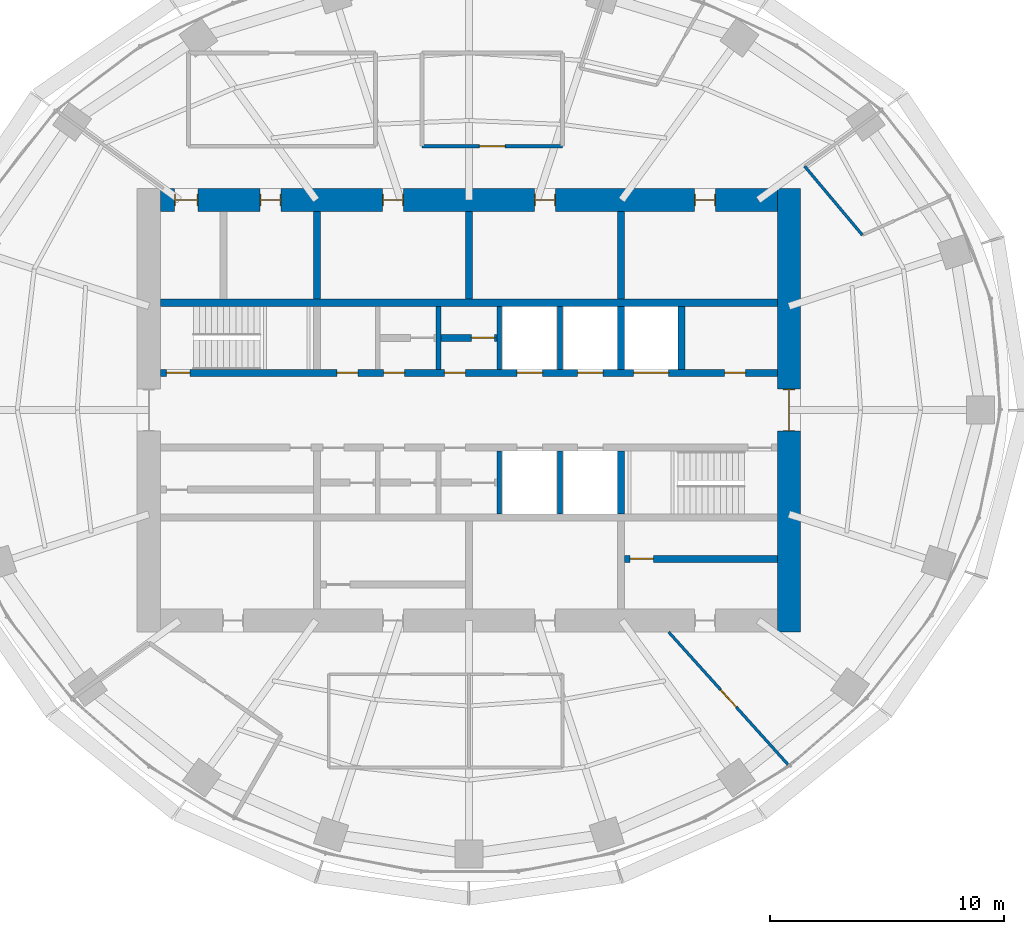
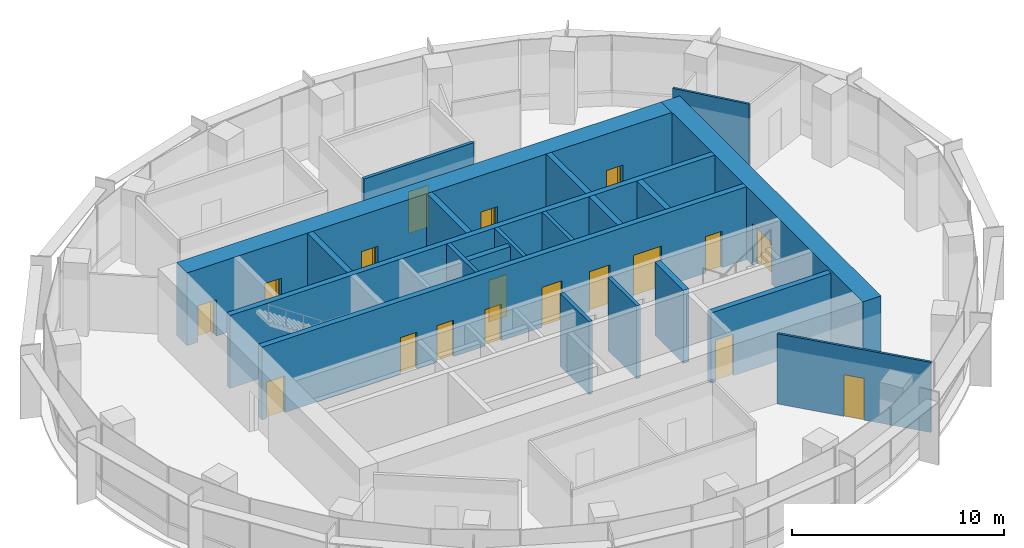
# One storey, part 10 of 13: 20 walls, 18 doors, 18 openings.
"""IFC4 building model written with IfcOpenShell, lengths in metres."""

from ifc_helpers import new_model, si_unit, direction, frame, frame_2d, origin, place, context, subcontext, project, spatial, rectangle, extrude, material, layer, layer_set, type_object, element, fill, save


model = new_model("IFC4")

# Units and contexts
model_context = context("Model", 3, precision=1e-05, world=origin(), true_north=direction((0.0, 1.0)))
body_context = subcontext(model_context, "Body", "Model", "MODEL_VIEW")
ifc_project = project(units=[si_unit("LENGTHUNIT", "METRE"), si_unit("AREAUNIT", "SQUARE_METRE"), si_unit("VOLUMEUNIT", "CUBIC_METRE"), si_unit("PLANEANGLEUNIT", "RADIAN"), si_unit("MASSUNIT", "GRAM", prefix="KILO")], contexts=[model_context])

# Site, building, storey
site_placement = place(None, origin())
site = spatial("IfcSite", under=ifc_project, at=site_placement, CompositionType="ELEMENT")
building_placement = place(site_placement, origin())
building = spatial("IfcBuilding", under=site, at=building_placement, Name="Marramba Exchange Tower", CompositionType="ELEMENT")
storey_placement = place(building_placement, frame((0.0, 0.0, 264.39990234375)))
storey = spatial("IfcBuildingStorey", under=building, at=storey_placement, Name="L64", CompositionType="ELEMENT", Elevation=264.39990234375)

# Wall, opening, door
ifc_material_1 = material(Name="Plasterboard on staggered double steel studs, acoustic insulation", Category="steel")
ifc_layer_1 = layer(ifc_material_1, 0.169921875)
ifc_layer_set_1 = layer_set([ifc_layer_1], Name="Acoustic partition 170")
wall_type_1 = type_object("IfcWallType", Name="Acoustic partition 170", PredefinedType="PARTITIONING", material=ifc_layer_set_1)
wall_1_placement = place(storey_placement, frame((4.0, 11.300048828125, 0.0), z_axis=(0.0, 0.0, 1.0), x_axis=(-1.0, 0.0, 0.0)))
wall_1 = element("IfcWall", 1, at=wall_1_placement, inside=storey, type_object=wall_type_1, Name="Acoustic partition L64 17", PredefinedType="PARTITIONING", context=body_context, shape_type="SweptSolid", body=[
    extrude(rectangle(XDim=6.0, YDim=0.169921875, at=frame_2d((3.0, 0.0))), origin(), (0.0, 0.0, 1.0), 4.0400390625),
])
opening_1_placement = place(wall_1_placement, frame((2.449951171875, 0.0, 0.0)))
opening_1 = element("IfcOpeningElement", 2, at=opening_1_placement, cuts=wall_1, Name="Opening D15", PredefinedType="OPENING", context=body_context, shape_type="SweptSolid", body=[
    extrude(rectangle(XDim=1.10009765625, YDim=2.39990234375, at=frame_2d((0.550048828125, 1.199951171875))), frame((0.0, 0.094970703125, 0.0), z_axis=(0.0, -1.0, 0.0), x_axis=(1.0, 0.0, 0.0)), (0.0, 0.0, 1.0), 0.18994140625),
])
ifc_material_2 = material(Name="Timber door", Category="wood")
door_type_1 = type_object("IfcDoorType", Name="Glazed meeting room door 1100x2400", OperationType="SINGLE_SWING_LEFT", PredefinedType="DOOR", material=ifc_material_2)
door_1_placement = place(opening_1_placement, frame((1.10009765625, 0.0, 0.0), z_axis=(0.0, 0.0, 1.0), x_axis=(-1.0, 0.0, 0.0)))
door_1 = element("IfcDoor", 3, at=door_1_placement, inside=storey, type_object=door_type_1, Name="D15 Meeting Room 2 L64", OperationType="SINGLE_SWING_RIGHT", OverallHeight=2.39990234375, OverallWidth=1.10009765625, PredefinedType="DOOR", context=body_context, shape_type="SweptSolid", body=[
    extrude(rectangle(XDim=1.10009765625, YDim=2.39990234375, at=frame_2d((0.550048828125, 1.199951171875))), frame((0.0, 0.025146484375, 0.0), z_axis=(0.0, -1.0, 0.0), x_axis=(1.0, 0.0, 0.0)), (0.0, 0.0, 1.0), 0.050048828125),
])
fill(opening_1, door_1)

# Walls
ifc_material_3 = material(Name="Concrete N50", Category="concrete")
ifc_layer_2 = layer(ifc_material_3, 0.199951171875)
ifc_layer_set_2 = layer_set([ifc_layer_2], Name="Core shaft wall 200")
wall_type_2 = type_object("IfcWallType", Name="Core shaft wall 200", PredefinedType="SHEAR", material=ifc_layer_set_2)
for number, where, z_axis, x_axis, name in (
    (4, (-1.300048828125, 1.75, 0.0), (0.0, 0.0, 1.0), (0.0, 1.0, 0.0), "Core wall SHN2 L64"),
    (5, (1.300048828125, 1.75, 0.0), (0.0, 0.0, 1.0), (0.0, 1.0, 0.0), "Core wall SHN3 L64"),
    (6, (3.89990234375, 1.75, 0.0), (0.0, 0.0, 1.0), (0.0, 1.0, 0.0), "Core wall SHN4 L64"),
    (7, (1.300048828125, -1.75, 0.0), (0.0, 0.0, 1.0), (0.0, -1.0, 0.0), "Core wall SHS3 L64"),
    (8, (3.89990234375, -1.75, 0.0), (0.0, 0.0, 1.0), (0.0, -1.0, 0.0), "Core wall SHS4 L64"),
):
    element("IfcWall", number, at=place(storey_placement, frame(where, z_axis=z_axis, x_axis=x_axis)), inside=storey, type_object=wall_type_2, Name=name, PredefinedType="SHEAR", context=body_context, shape_type="SweptSolid", body=[
        extrude(rectangle(XDim=2.699951171875, YDim=0.199951171875, at=frame_2d((1.35009765625, 0.0))), origin(), (0.0, 0.0, 1.0), 4.2001953125),
    ])

# Wall, openings, doors
ifc_layer_3 = layer(ifc_material_3, 1.0)
ifc_layer_set_3 = layer_set([ifc_layer_3], Name="Core wall 1000")
wall_type_3 = type_object("IfcWallType", Name="Core wall 1000", PredefinedType="SHEAR", material=ifc_layer_set_3)
wall_2_placement = place(storey_placement, frame((13.199951171875, 9.0, 0.0), z_axis=(0.0, 0.0, 1.0), x_axis=(-1.0, 0.0, 0.0)))
wall_2 = element("IfcWall", 9, at=wall_2_placement, inside=storey, type_object=wall_type_3, Name="Core wall N L64", PredefinedType="SHEAR", context=body_context, shape_type="SweptSolid", body=[
    extrude(rectangle(XDim=26.39990234375, YDim=1.0, at=frame_2d((13.199951171875, 0.0))), origin(), (0.0, 0.0, 1.0), 4.2001953125),
])
opening_2_placement = place(wall_2_placement, frame((2.64990234375, 0.0, 0.0)))
opening_2 = element("IfcOpeningElement", 10, at=opening_2_placement, cuts=wall_2, Name="Opening D5", PredefinedType="OPENING", context=body_context, shape_type="SweptSolid", body=[
    extrude(rectangle(XDim=0.89990234375, YDim=2.10009765625, at=frame_2d((0.449951171875, 1.050048828125))), frame((0.0, 0.510009765625, 0.0), z_axis=(0.0, -1.0, 0.0), x_axis=(1.0, 0.0, 0.0)), (0.0, 0.0, 1.0), 1.02001953125),
])
opening_3_placement = place(wall_2_placement, frame((9.5, 0.0, 0.0)))
opening_3 = element("IfcOpeningElement", 11, at=opening_3_placement, cuts=wall_2, Name="Opening D3", PredefinedType="OPENING", context=body_context, shape_type="SweptSolid", body=[
    extrude(rectangle(XDim=0.89990234375, YDim=2.10009765625, at=frame_2d((0.449951171875, 1.050048828125))), frame((0.0, 0.510009765625, 0.0), z_axis=(0.0, -1.0, 0.0), x_axis=(1.0, 0.0, 0.0)), (0.0, 0.0, 1.0), 1.02001953125),
])
opening_4_placement = place(wall_2_placement, frame((16.0, 0.0, 0.0)))
opening_4 = element("IfcOpeningElement", 12, at=opening_4_placement, cuts=wall_2, Name="Opening D3", PredefinedType="OPENING", context=body_context, shape_type="SweptSolid", body=[
    extrude(rectangle(XDim=0.89990234375, YDim=2.10009765625, at=frame_2d((0.449951171875, 1.050048828125))), frame((0.0, 0.510009765625, 0.0), z_axis=(0.0, -1.0, 0.0), x_axis=(1.0, 0.0, 0.0)), (0.0, 0.0, 1.0), 1.02001953125),
])
opening_5_placement = place(wall_2_placement, frame((21.25, 0.0, 0.0)))
opening_5 = element("IfcOpeningElement", 13, at=opening_5_placement, cuts=wall_2, Name="Opening D5", PredefinedType="OPENING", context=body_context, shape_type="SweptSolid", body=[
    extrude(rectangle(XDim=0.89990234375, YDim=2.10009765625, at=frame_2d((0.449951171875, 1.050048828125))), frame((0.0, 0.510009765625, 0.0), z_axis=(0.0, -1.0, 0.0), x_axis=(1.0, 0.0, 0.0)), (0.0, 0.0, 1.0), 1.02001953125),
])
opening_6_placement = place(wall_2_placement, frame((24.800048828125, 0.0, 0.0)))
opening_6 = element("IfcOpeningElement", 14, at=opening_6_placement, cuts=wall_2, Name="Opening D4", PredefinedType="OPENING", context=body_context, shape_type="SweptSolid", body=[
    extrude(rectangle(XDim=1.0, YDim=2.10009765625, at=frame_2d((0.5, 1.050048828125))), frame((0.0, 0.510009765625, 0.0), z_axis=(0.0, -1.0, 0.0), x_axis=(1.0, 0.0, 0.0)), (0.0, 0.0, 1.0), 1.02001953125),
])
ifc_material_4 = material(Name="Steel-framed door", Category="steel")
door_type_2 = type_object("IfcDoorType", Name="Accessible toilet door 1000x2100", OperationType="SINGLE_SWING_LEFT", PredefinedType="DOOR", material=ifc_material_4)
door_2_placement = place(opening_6_placement, origin())
door_2 = element("IfcDoor", 15, at=door_2_placement, inside=storey, type_object=door_type_2, Name="D4 awc L64", OperationType="SINGLE_SWING_RIGHT", OverallHeight=2.10009765625, OverallWidth=1.0, PredefinedType="DOOR", context=body_context, shape_type="SweptSolid", body=[
    extrude(rectangle(XDim=0.919921875, YDim=2.06005859375, at=frame_2d((0.5, 1.030029296875))), frame((0.0, 0.02490234375, 0.0), z_axis=(0.0, -1.0, 0.0), x_axis=(1.0, 0.0, 0.0)), (0.0, 0.0, 1.0), 0.050048828125),
    extrude(rectangle(XDim=0.04, YDim=2.10009765625, at=frame_2d((0.02001953125, 1.050048828125))), frame((0.0, 0.25, 0.0), z_axis=(0.0, -1.0, 0.0), x_axis=(1.0, 0.0, 0.0)), (0.0, 0.0, 1.0), 0.5),
    extrude(rectangle(XDim=0.04, YDim=2.10009765625, at=frame_2d((0.97998046875, 1.050048828125))), frame((0.0, 0.25, 0.0), z_axis=(0.0, -1.0, 0.0), x_axis=(1.0, 0.0, 0.0)), (0.0, 0.0, 1.0), 0.5),
    extrude(rectangle(XDim=0.919921875, YDim=0.04, at=frame_2d((0.5, 2.080078125))), frame((0.0, 0.25, 0.0), z_axis=(0.0, -1.0, 0.0), x_axis=(1.0, 0.0, 0.0)), (0.0, 0.0, 1.0), 0.5),
])
fill(opening_6, door_2)
door_type_3 = type_object("IfcDoorType", Name="Service door 900x2100", OperationType="SINGLE_SWING_LEFT", PredefinedType="DOOR", material=ifc_material_4)
door_3_placement = place(opening_2_placement, origin())
door_3 = element("IfcDoor", 16, at=door_3_placement, inside=storey, type_object=door_type_3, Name="D5 comms L64", OperationType="SINGLE_SWING_LEFT", OverallHeight=2.10009765625, OverallWidth=0.89990234375, PredefinedType="DOOR", context=body_context, shape_type="SweptSolid", body=[
    extrude(rectangle(XDim=0.81982421875, YDim=2.06005859375, at=frame_2d((0.449951171875, 1.030029296875))), frame((0.0, 0.02490234375, 0.0), z_axis=(0.0, -1.0, 0.0), x_axis=(1.0, 0.0, 0.0)), (0.0, 0.0, 1.0), 0.050048828125),
    extrude(rectangle(XDim=0.04, YDim=2.10009765625, at=frame_2d((0.02001953125, 1.050048828125))), frame((0.0, 0.25, 0.0), z_axis=(0.0, -1.0, 0.0), x_axis=(1.0, 0.0, 0.0)), (0.0, 0.0, 1.0), 0.5),
    extrude(rectangle(XDim=0.04, YDim=2.10009765625, at=frame_2d((0.8798828125, 1.050048828125))), frame((0.0, 0.25, 0.0), z_axis=(0.0, -1.0, 0.0), x_axis=(1.0, 0.0, 0.0)), (0.0, 0.0, 1.0), 0.5),
    extrude(rectangle(XDim=0.81982421875, YDim=0.04, at=frame_2d((0.449951171875, 2.080078125))), frame((0.0, 0.25, 0.0), z_axis=(0.0, -1.0, 0.0), x_axis=(1.0, 0.0, 0.0)), (0.0, 0.0, 1.0), 0.5),
])
fill(opening_2, door_3)
door_4_placement = place(opening_5_placement, origin())
door_4 = element("IfcDoor", 17, at=door_4_placement, inside=storey, type_object=door_type_3, Name="D5 cleaner L64", OperationType="SINGLE_SWING_RIGHT", OverallHeight=2.10009765625, OverallWidth=0.89990234375, PredefinedType="DOOR", context=body_context, shape_type="SweptSolid", body=[
    extrude(rectangle(XDim=0.81982421875, YDim=2.06005859375, at=frame_2d((0.449951171875, 1.030029296875))), frame((0.0, 0.02490234375, 0.0), z_axis=(0.0, -1.0, 0.0), x_axis=(1.0, 0.0, 0.0)), (0.0, 0.0, 1.0), 0.050048828125),
    extrude(rectangle(XDim=0.04, YDim=2.10009765625, at=frame_2d((0.02001953125, 1.050048828125))), frame((0.0, 0.25, 0.0), z_axis=(0.0, -1.0, 0.0), x_axis=(1.0, 0.0, 0.0)), (0.0, 0.0, 1.0), 0.5),
    extrude(rectangle(XDim=0.04, YDim=2.10009765625, at=frame_2d((0.8798828125, 1.050048828125))), frame((0.0, 0.25, 0.0), z_axis=(0.0, -1.0, 0.0), x_axis=(1.0, 0.0, 0.0)), (0.0, 0.0, 1.0), 0.5),
    extrude(rectangle(XDim=0.81982421875, YDim=0.04, at=frame_2d((0.449951171875, 2.080078125))), frame((0.0, 0.25, 0.0), z_axis=(0.0, -1.0, 0.0), x_axis=(1.0, 0.0, 0.0)), (0.0, 0.0, 1.0), 0.5),
])
fill(opening_5, door_4)
door_type_4 = type_object("IfcDoorType", Name="Toilet door 900x2100", OperationType="SINGLE_SWING_LEFT", PredefinedType="DOOR", material=ifc_material_4)
door_5_placement = place(opening_3_placement, origin())
door_5 = element("IfcDoor", 18, at=door_5_placement, inside=storey, type_object=door_type_4, Name="D3 wc-f L64", OperationType="SINGLE_SWING_RIGHT", OverallHeight=2.10009765625, OverallWidth=0.89990234375, PredefinedType="DOOR", context=body_context, shape_type="SweptSolid", body=[
    extrude(rectangle(XDim=0.81982421875, YDim=2.06005859375, at=frame_2d((0.449951171875, 1.030029296875))), frame((0.0, 0.02490234375, 0.0), z_axis=(0.0, -1.0, 0.0), x_axis=(1.0, 0.0, 0.0)), (0.0, 0.0, 1.0), 0.050048828125),
    extrude(rectangle(XDim=0.04, YDim=2.10009765625, at=frame_2d((0.02001953125, 1.050048828125))), frame((0.0, 0.25, 0.0), z_axis=(0.0, -1.0, 0.0), x_axis=(1.0, 0.0, 0.0)), (0.0, 0.0, 1.0), 0.5),
    extrude(rectangle(XDim=0.04, YDim=2.10009765625, at=frame_2d((0.8798828125, 1.050048828125))), frame((0.0, 0.25, 0.0), z_axis=(0.0, -1.0, 0.0), x_axis=(1.0, 0.0, 0.0)), (0.0, 0.0, 1.0), 0.5),
    extrude(rectangle(XDim=0.81982421875, YDim=0.04, at=frame_2d((0.449951171875, 2.080078125))), frame((0.0, 0.25, 0.0), z_axis=(0.0, -1.0, 0.0), x_axis=(1.0, 0.0, 0.0)), (0.0, 0.0, 1.0), 0.5),
])
fill(opening_3, door_5)
door_6_placement = place(opening_4_placement, origin())
door_6 = element("IfcDoor", 19, at=door_6_placement, inside=storey, type_object=door_type_4, Name="D3 wc-m L64", OperationType="SINGLE_SWING_RIGHT", OverallHeight=2.10009765625, OverallWidth=0.89990234375, PredefinedType="DOOR", context=body_context, shape_type="SweptSolid", body=[
    extrude(rectangle(XDim=0.81982421875, YDim=2.06005859375, at=frame_2d((0.449951171875, 1.030029296875))), frame((0.0, 0.02490234375, 0.0), z_axis=(0.0, -1.0, 0.0), x_axis=(1.0, 0.0, 0.0)), (0.0, 0.0, 1.0), 0.050048828125),
    extrude(rectangle(XDim=0.04, YDim=2.10009765625, at=frame_2d((0.02001953125, 1.050048828125))), frame((0.0, 0.25, 0.0), z_axis=(0.0, -1.0, 0.0), x_axis=(1.0, 0.0, 0.0)), (0.0, 0.0, 1.0), 0.5),
    extrude(rectangle(XDim=0.04, YDim=2.10009765625, at=frame_2d((0.8798828125, 1.050048828125))), frame((0.0, 0.25, 0.0), z_axis=(0.0, -1.0, 0.0), x_axis=(1.0, 0.0, 0.0)), (0.0, 0.0, 1.0), 0.5),
    extrude(rectangle(XDim=0.81982421875, YDim=0.04, at=frame_2d((0.449951171875, 2.080078125))), frame((0.0, 0.25, 0.0), z_axis=(0.0, -1.0, 0.0), x_axis=(1.0, 0.0, 0.0)), (0.0, 0.0, 1.0), 0.5),
])
fill(opening_4, door_6)

# Wall, opening, door
wall_3_placement = place(storey_placement, frame((13.699951171875, -9.5, 0.0), z_axis=(0.0, 0.0, 1.0), x_axis=(0.0, 1.0, 0.0)))
wall_3 = element("IfcWall", 20, at=wall_3_placement, inside=storey, type_object=wall_type_3, Name="Core wall E L64", PredefinedType="SHEAR", context=body_context, shape_type="SweptSolid", body=[
    extrude(rectangle(XDim=19.0, YDim=1.0, at=frame_2d((9.5, 0.0))), origin(), (0.0, 0.0, 1.0), 4.2001953125),
])
opening_7_placement = place(wall_3_placement, frame((8.60009765625, 0.0, 0.0)))
opening_7 = element("IfcOpeningElement", 21, at=opening_7_placement, cuts=wall_3, Name="Opening D1", PredefinedType="OPENING", context=body_context, shape_type="SweptSolid", body=[
    extrude(rectangle(XDim=1.800048828125, YDim=2.39990234375, at=frame_2d((0.89990234375, 1.199951171875))), frame((0.0, 0.510009765625, 0.0), z_axis=(0.0, -1.0, 0.0), x_axis=(1.0, 0.0, 0.0)), (0.0, 0.0, 1.0), 1.02001953125),
])
door_type_5 = type_object("IfcDoorType", Name="Lobby exit door 1800x2400", OperationType="DOUBLE_DOOR_SINGLE_SWING", PredefinedType="DOOR", material=ifc_material_4)
door_7_placement = place(opening_7_placement, origin())
door_7 = element("IfcDoor", 22, at=door_7_placement, inside=storey, type_object=door_type_5, Name="D1 lobby exit east L64", OperationType="DOUBLE_DOOR_SINGLE_SWING", OverallHeight=2.39990234375, OverallWidth=1.800048828125, PredefinedType="DOOR", context=body_context, shape_type="SweptSolid", body=[
    extrude(rectangle(XDim=1.719970703125, YDim=2.35986328125, at=frame_2d((0.89990234375, 1.179931640625))), frame((0.0, 0.02490234375, 0.0), z_axis=(0.0, -1.0, 0.0), x_axis=(1.0, 0.0, 0.0)), (0.0, 0.0, 1.0), 0.050048828125),
    extrude(rectangle(XDim=0.04, YDim=2.39990234375, at=frame_2d((0.02001953125, 1.199951171875))), frame((0.0, 0.25, 0.0), z_axis=(0.0, -1.0, 0.0), x_axis=(1.0, 0.0, 0.0)), (0.0, 0.0, 1.0), 0.5),
    extrude(rectangle(XDim=0.04, YDim=2.39990234375, at=frame_2d((1.780029296875, 1.199951171875))), frame((0.0, 0.25, 0.0), z_axis=(0.0, -1.0, 0.0), x_axis=(1.0, 0.0, 0.0)), (0.0, 0.0, 1.0), 0.5),
    extrude(rectangle(XDim=1.719970703125, YDim=0.04, at=frame_2d((0.89990234375, 2.3798828125))), frame((0.0, 0.25, 0.0), z_axis=(0.0, -1.0, 0.0), x_axis=(1.0, 0.0, 0.0)), (0.0, 0.0, 1.0), 0.5),
])
fill(opening_7, door_7)

# Wall, openings, doors
ifc_layer_4 = layer(ifc_material_3, 0.300048828125)
ifc_layer_set_4 = layer_set([ifc_layer_4], Name="Core wall 300")
wall_type_4 = type_object("IfcWallType", Name="Core wall 300", PredefinedType="SHEAR", material=ifc_layer_set_4)
wall_4_placement = place(storey_placement, frame((-13.199951171875, 1.60009765625, 0.0), z_axis=(0.0, 0.0, 1.0), x_axis=(1.0, 0.0, 0.0)))
wall_4 = element("IfcWall", 23, at=wall_4_placement, inside=storey, type_object=wall_type_4, Name="Core wall LN L64", PredefinedType="SHEAR", context=body_context, shape_type="SweptSolid", body=[
    extrude(rectangle(XDim=26.39990234375, YDim=0.300048828125, at=frame_2d((13.199951171875, 0.0))), origin(), (0.0, 0.0, 1.0), 4.2001953125),
])
opening_8_placement = place(wall_4_placement, frame((0.25, 0.0, 0.0)))
opening_8 = element("IfcOpeningElement", 24, at=opening_8_placement, cuts=wall_4, Name="Opening D2", PredefinedType="OPENING", context=body_context, shape_type="SweptSolid", body=[
    extrude(rectangle(XDim=1.0, YDim=2.10009765625, at=frame_2d((0.5, 1.050048828125))), frame((0.0, 0.159912109375, 0.0), z_axis=(0.0, -1.0, 0.0), x_axis=(1.0, 0.0, 0.0)), (0.0, 0.0, 1.0), 0.320068359375),
])
opening_9_placement = place(wall_4_placement, frame((20.25, 0.0, 0.0)))
opening_9 = element("IfcOpeningElement", 25, at=opening_9_placement, cuts=wall_4, Name="Opening LD3", PredefinedType="OPENING", context=body_context, shape_type="SweptSolid", body=[
    extrude(rectangle(XDim=1.5, YDim=2.39990234375, at=frame_2d((0.75, 1.199951171875))), frame((0.0, 0.159912109375, 0.0), z_axis=(0.0, -1.0, 0.0), x_axis=(1.0, 0.0, 0.0)), (0.0, 0.0, 1.0), 0.320068359375),
])
opening_10_placement = place(wall_4_placement, frame((7.550048828125, 0.0, 0.0)))
opening_10 = element("IfcOpeningElement", 26, at=opening_10_placement, cuts=wall_4, Name="Opening D5", PredefinedType="OPENING", context=body_context, shape_type="SweptSolid", body=[
    extrude(rectangle(XDim=0.89990234375, YDim=2.10009765625, at=frame_2d((0.449951171875, 1.050048828125))), frame((0.0, 0.159912109375, 0.0), z_axis=(0.0, -1.0, 0.0), x_axis=(1.0, 0.0, 0.0)), (0.0, 0.0, 1.0), 0.320068359375),
])
opening_11_placement = place(wall_4_placement, frame((9.550048828125, 0.0, 0.0)))
opening_11 = element("IfcOpeningElement", 27, at=opening_11_placement, cuts=wall_4, Name="Opening D5", PredefinedType="OPENING", context=body_context, shape_type="SweptSolid", body=[
    extrude(rectangle(XDim=0.89990234375, YDim=2.10009765625, at=frame_2d((0.449951171875, 1.050048828125))), frame((0.0, 0.159912109375, 0.0), z_axis=(0.0, -1.0, 0.0), x_axis=(1.0, 0.0, 0.0)), (0.0, 0.0, 1.0), 0.320068359375),
])
opening_12_placement = place(wall_4_placement, frame((12.14990234375, 0.0, 0.0)))
opening_12 = element("IfcOpeningElement", 28, at=opening_12_placement, cuts=wall_4, Name="Opening D5", PredefinedType="OPENING", context=body_context, shape_type="SweptSolid", body=[
    extrude(rectangle(XDim=0.89990234375, YDim=2.10009765625, at=frame_2d((0.449951171875, 1.050048828125))), frame((0.0, 0.159912109375, 0.0), z_axis=(0.0, -1.0, 0.0), x_axis=(1.0, 0.0, 0.0)), (0.0, 0.0, 1.0), 0.320068359375),
])
opening_13_placement = place(wall_4_placement, frame((15.25, 0.0, 0.0)))
opening_13 = element("IfcOpeningElement", 29, at=opening_13_placement, cuts=wall_4, Name="Opening LD1", PredefinedType="OPENING", context=body_context, shape_type="SweptSolid", body=[
    extrude(rectangle(XDim=1.10009765625, YDim=2.300048828125, at=frame_2d((0.550048828125, 1.14990234375))), frame((0.0, 0.159912109375, 0.0), z_axis=(0.0, -1.0, 0.0), x_axis=(1.0, 0.0, 0.0)), (0.0, 0.0, 1.0), 0.320068359375),
])
opening_14_placement = place(wall_4_placement, frame((17.85009765625, 0.0, 0.0)))
opening_14 = element("IfcOpeningElement", 30, at=opening_14_placement, cuts=wall_4, Name="Opening LD1", PredefinedType="OPENING", context=body_context, shape_type="SweptSolid", body=[
    extrude(rectangle(XDim=1.10009765625, YDim=2.300048828125, at=frame_2d((0.550048828125, 1.14990234375))), frame((0.0, 0.159912109375, 0.0), z_axis=(0.0, -1.0, 0.0), x_axis=(1.0, 0.0, 0.0)), (0.0, 0.0, 1.0), 0.320068359375),
])
opening_15_placement = place(wall_4_placement, frame((24.14990234375, 0.0, 0.0)))
opening_15 = element("IfcOpeningElement", 31, at=opening_15_placement, cuts=wall_4, Name="Opening D5", PredefinedType="OPENING", context=body_context, shape_type="SweptSolid", body=[
    extrude(rectangle(XDim=0.89990234375, YDim=2.10009765625, at=frame_2d((0.449951171875, 1.050048828125))), frame((0.0, 0.159912109375, 0.0), z_axis=(0.0, -1.0, 0.0), x_axis=(1.0, 0.0, 0.0)), (0.0, 0.0, 1.0), 0.320068359375),
])
door_type_6 = type_object("IfcDoorType", Name="Goods lift landing door 1500x2400", OperationType="SLIDING_TO_LEFT", PredefinedType="DOOR", material=ifc_material_4)
door_8_placement = place(opening_9_placement, origin())
door_8 = element("IfcDoor", 32, at=door_8_placement, inside=storey, type_object=door_type_6, Name="GL1 landing door L64", OperationType="SLIDING_TO_RIGHT", OverallHeight=2.39990234375, OverallWidth=1.5, PredefinedType="DOOR", context=body_context, shape_type="SweptSolid", body=[
    extrude(rectangle(XDim=1.5, YDim=2.39990234375, at=frame_2d((0.75, 1.199951171875))), frame((0.0, 0.02490234375, 0.0), z_axis=(0.0, -1.0, 0.0), x_axis=(1.0, 0.0, 0.0)), (0.0, 0.0, 1.0), 0.050048828125),
])
fill(opening_9, door_8)
door_type_7 = type_object("IfcDoorType", Name="Lift landing door 1100x2300", OperationType="SLIDING_TO_LEFT", PredefinedType="DOOR", material=ifc_material_4)
door_9_placement = place(opening_13_placement, origin())
door_9 = element("IfcDoor", 33, at=door_9_placement, inside=storey, type_object=door_type_7, Name="LD1 landing door L64", OperationType="SLIDING_TO_LEFT", OverallHeight=2.300048828125, OverallWidth=1.10009765625, PredefinedType="DOOR", context=body_context, shape_type="SweptSolid", body=[
    extrude(rectangle(XDim=1.10009765625, YDim=2.300048828125, at=frame_2d((0.550048828125, 1.14990234375))), frame((0.0, 0.02490234375, 0.0), z_axis=(0.0, -1.0, 0.0), x_axis=(1.0, 0.0, 0.0)), (0.0, 0.0, 1.0), 0.050048828125),
])
fill(opening_13, door_9)
door_10_placement = place(opening_14_placement, origin())
door_10 = element("IfcDoor", 34, at=door_10_placement, inside=storey, type_object=door_type_7, Name="LD2 landing door L64", OperationType="SLIDING_TO_LEFT", OverallHeight=2.300048828125, OverallWidth=1.10009765625, PredefinedType="DOOR", context=body_context, shape_type="SweptSolid", body=[
    extrude(rectangle(XDim=1.10009765625, YDim=2.300048828125, at=frame_2d((0.550048828125, 1.14990234375))), frame((0.0, 0.02490234375, 0.0), z_axis=(0.0, -1.0, 0.0), x_axis=(1.0, 0.0, 0.0)), (0.0, 0.0, 1.0), 0.050048828125),
])
fill(opening_14, door_10)
door_11_placement = place(opening_10_placement, origin())
door_11 = element("IfcDoor", 35, at=door_11_placement, inside=storey, type_object=door_type_3, Name="D5 switch room L64", OperationType="SINGLE_SWING_RIGHT", OverallHeight=2.10009765625, OverallWidth=0.89990234375, PredefinedType="DOOR", context=body_context, shape_type="SweptSolid", body=[
    extrude(rectangle(XDim=0.89990234375, YDim=2.10009765625, at=frame_2d((0.449951171875, 1.050048828125))), frame((0.0, 0.02490234375, 0.0), z_axis=(0.0, -1.0, 0.0), x_axis=(1.0, 0.0, 0.0)), (0.0, 0.0, 1.0), 0.050048828125),
])
fill(opening_10, door_11)
door_12_placement = place(opening_11_placement, origin())
door_12 = element("IfcDoor", 36, at=door_12_placement, inside=storey, type_object=door_type_3, Name="D5 cleaner store L64", OperationType="SINGLE_SWING_LEFT", OverallHeight=2.10009765625, OverallWidth=0.89990234375, PredefinedType="DOOR", context=body_context, shape_type="SweptSolid", body=[
    extrude(rectangle(XDim=0.89990234375, YDim=2.10009765625, at=frame_2d((0.449951171875, 1.050048828125))), frame((0.0, 0.02490234375, 0.0), z_axis=(0.0, -1.0, 0.0), x_axis=(1.0, 0.0, 0.0)), (0.0, 0.0, 1.0), 0.050048828125),
])
fill(opening_11, door_12)
door_13_placement = place(opening_12_placement, origin())
door_13 = element("IfcDoor", 37, at=door_13_placement, inside=storey, type_object=door_type_3, Name="D5 general store L64", OperationType="SINGLE_SWING_LEFT", OverallHeight=2.10009765625, OverallWidth=0.89990234375, PredefinedType="DOOR", context=body_context, shape_type="SweptSolid", body=[
    extrude(rectangle(XDim=0.89990234375, YDim=2.10009765625, at=frame_2d((0.449951171875, 1.050048828125))), frame((0.0, 0.02490234375, 0.0), z_axis=(0.0, -1.0, 0.0), x_axis=(1.0, 0.0, 0.0)), (0.0, 0.0, 1.0), 0.050048828125),
])
fill(opening_12, door_13)
door_14_placement = place(opening_15_placement, origin())
door_14 = element("IfcDoor", 38, at=door_14_placement, inside=storey, type_object=door_type_3, Name="D5 riser L64", OperationType="SINGLE_SWING_RIGHT", OverallHeight=2.10009765625, OverallWidth=0.89990234375, PredefinedType="DOOR", context=body_context, shape_type="SweptSolid", body=[
    extrude(rectangle(XDim=0.89990234375, YDim=2.10009765625, at=frame_2d((0.449951171875, 1.050048828125))), frame((0.0, 0.02490234375, 0.0), z_axis=(0.0, -1.0, 0.0), x_axis=(1.0, 0.0, 0.0)), (0.0, 0.0, 1.0), 0.050048828125),
])
fill(opening_15, door_14)
door_type_8 = type_object("IfcDoorType", Name="Stair door 1000x2100", OperationType="SINGLE_SWING_LEFT", PredefinedType="DOOR", material=ifc_material_4)
door_15_placement = place(opening_8_placement, origin())
door_15 = element("IfcDoor", 39, at=door_15_placement, inside=storey, type_object=door_type_8, Name="D2 stair ST1 L64", OperationType="SINGLE_SWING_LEFT", OverallHeight=2.10009765625, OverallWidth=1.0, PredefinedType="DOOR", context=body_context, shape_type="SweptSolid", body=[
    extrude(rectangle(XDim=1.0, YDim=2.10009765625, at=frame_2d((0.5, 1.050048828125))), frame((0.0, 0.02490234375, 0.0), z_axis=(0.0, -1.0, 0.0), x_axis=(1.0, 0.0, 0.0)), (0.0, 0.0, 1.0), 0.050048828125),
])
fill(opening_8, door_15)

# Walls
wall_5_placement = place(storey_placement, frame((-13.199951171875, 4.60009765625, 0.0), z_axis=(0.0, 0.0, 1.0), x_axis=(1.0, 0.0, 0.0)))
element("IfcWall", 40, at=wall_5_placement, inside=storey, type_object=wall_type_4, Name="Core wall BN L64", PredefinedType="SHEAR", context=body_context, shape_type="SweptSolid", body=[
    extrude(rectangle(XDim=26.39990234375, YDim=0.300048828125, at=frame_2d((13.199951171875, 0.0))), origin(), (0.0, 0.0, 1.0), 4.2001953125),
])
wall_6_placement = place(storey_placement, frame((-6.5, 4.75, 0.0), z_axis=(0.0, 0.0, 1.0), x_axis=(0.0, 1.0, 0.0)))
element("IfcWall", 41, at=wall_6_placement, inside=storey, type_object=wall_type_4, Name="Core wall X0Nb L64", PredefinedType="SHEAR", context=body_context, shape_type="SweptSolid", body=[
    extrude(rectangle(XDim=3.75, YDim=0.300048828125, at=frame_2d((1.875, 0.0))), origin(), (0.0, 0.0, 1.0), 4.2001953125),
])
wall_7_placement = place(storey_placement, frame((6.5, 1.75, 0.0), z_axis=(0.0, 0.0, 1.0), x_axis=(0.0, 1.0, 0.0)))
element("IfcWall", 42, at=wall_7_placement, inside=storey, type_object=wall_type_4, Name="Core wall X1Na L64", PredefinedType="SHEAR", context=body_context, shape_type="SweptSolid", body=[
    extrude(rectangle(XDim=2.699951171875, YDim=0.300048828125, at=frame_2d((1.35009765625, 0.0))), origin(), (0.0, 0.0, 1.0), 4.2001953125),
])
for number, where, z_axis, x_axis, name in (
    (43, (6.5, 4.75, 0.0), (0.0, 0.0, 1.0), (0.0, 1.0, 0.0), "Core wall X1Nb L64"),
    (44, (0.0, 4.75, 0.0), (0.0, 0.0, 1.0), (0.0, 1.0, 0.0), "Core wall MN L64"),
):
    element("IfcWall", number, at=place(storey_placement, frame(where, z_axis=z_axis, x_axis=x_axis)), inside=storey, type_object=wall_type_4, Name=name, PredefinedType="SHEAR", context=body_context, shape_type="SweptSolid", body=[
        extrude(rectangle(XDim=3.75, YDim=0.300048828125, at=frame_2d((1.875, 0.0))), origin(), (0.0, 0.0, 1.0), 4.2001953125),
    ])
for number, where, z_axis, x_axis, name in (
    (45, (6.5, -1.75, 0.0), (0.0, 0.0, 1.0), (0.0, -1.0, 0.0), "Core wall X1Sa L64"),
    (46, (9.10009765625, 1.75, 0.0), (0.0, 0.0, 1.0), (0.0, 1.0, 0.0), "Core wall ED L64"),
):
    element("IfcWall", number, at=place(storey_placement, frame(where, z_axis=z_axis, x_axis=x_axis)), inside=storey, type_object=wall_type_4, Name=name, PredefinedType="SHEAR", context=body_context, shape_type="SweptSolid", body=[
        extrude(rectangle(XDim=2.699951171875, YDim=0.300048828125, at=frame_2d((1.35009765625, 0.0))), origin(), (0.0, 0.0, 1.0), 4.2001953125),
    ])

# Wall, opening, door
ifc_material_5 = material(Name="Plasterboard on steel studs", Category="steel")
ifc_layer_5 = layer(ifc_material_5, 0.1201171875)
ifc_layer_set_5 = layer_set([ifc_layer_5], Name="Partition 120")
wall_type_5 = type_object("IfcWallType", Name="Partition 120", PredefinedType="PARTITIONING", material=ifc_layer_set_5)
wall_8_placement = place(storey_placement, frame((13.659912109375, -15.1708984375, 0.0), z_axis=(0.0, 0.0, 1.0), x_axis=(-0.669137936348, 0.74313822546, 0.0)))
wall_8 = element("IfcWall", 47, at=wall_8_placement, inside=storey, type_object=wall_type_5, Name="Partition L64 09", PredefinedType="PARTITIONING", context=body_context, shape_type="SweptSolid", body=[
    extrude(rectangle(XDim=7.631103515625, YDim=0.1201171875, at=frame_2d((3.8154296875, 0.0))), origin(), (0.0, 0.0, 1.0), 4.0400390625),
])
opening_16_placement = place(wall_8_placement, frame((3.31494140625, 0.0, 0.0)))
opening_16 = element("IfcOpeningElement", 48, at=opening_16_placement, cuts=wall_8, Name="Opening D9", PredefinedType="OPENING", context=body_context, shape_type="SweptSolid", body=[
    extrude(rectangle(XDim=1.0, YDim=2.39990234375, at=frame_2d((0.5, 1.199951171875))), frame((0.0, 0.070068359375, 0.0), z_axis=(0.0, -1.0, 0.0), x_axis=(1.0, 0.0, 0.0)), (0.0, 0.0, 1.0), 0.14013671875),
])
door_type_9 = type_object("IfcDoorType", Name="Room door 1000x2400", OperationType="SINGLE_SWING_LEFT", PredefinedType="DOOR", material=ifc_material_2)
door_16_placement = place(opening_16_placement, origin())
door_16 = element("IfcDoor", 49, at=door_16_placement, inside=storey, type_object=door_type_9, Name="D9 Chief Executive Support Office L64", OperationType="SINGLE_SWING_LEFT", OverallHeight=2.39990234375, OverallWidth=1.0, PredefinedType="DOOR", context=body_context, shape_type="SweptSolid", body=[
    extrude(rectangle(XDim=1.0, YDim=2.39990234375, at=frame_2d((0.5, 1.199951171875))), frame((0.0, 0.02490234375, 0.0), z_axis=(0.0, -1.0, 0.0), x_axis=(1.0, 0.0, 0.0)), (0.0, 0.0, 1.0), 0.050048828125),
])
fill(opening_16, door_16)

# Wall
wall_9_placement = place(storey_placement, frame((14.37255859375, 10.4423828125, 0.0), z_axis=(0.0, 0.0, 1.0), x_axis=(0.642749419025, -0.766076487267, 0.0)))
element("IfcWall", 50, at=wall_9_placement, inside=storey, type_object=wall_type_5, Name="Partition L64 11", PredefinedType="PARTITIONING", context=body_context, shape_type="SweptSolid", body=[
    extrude(rectangle(XDim=3.842529296875, YDim=0.1201171875, at=frame_2d((1.92138671875, 0.0))), origin(), (0.0, 0.0, 1.0), 4.0400390625),
])

# Wall, opening, door
ifc_material_6 = material(Name="Plasterboard on steel studs, insulated, unrated", Category="steel")
ifc_layer_6 = layer(ifc_material_6, 0.300048828125)
ifc_layer_set_6 = layer_set([ifc_layer_6], Name="Store partition 300")
wall_type_6 = type_object("IfcWallType", Name="Store partition 300", PredefinedType="PARTITIONING", material=ifc_layer_set_6)
wall_10_placement = place(storey_placement, frame((-1.199951171875, 3.10009765625, 0.0), z_axis=(0.0, 0.0, 1.0), x_axis=(1.0, 0.0, 0.0)))
wall_10 = element("IfcWall", 51, at=wall_10_placement, inside=storey, type_object=wall_type_6, Name="Store partition L64 N3", PredefinedType="PARTITIONING", context=body_context, shape_type="SweptSolid", body=[
    extrude(rectangle(XDim=2.39990234375, YDim=0.300048828125, at=frame_2d((1.199951171875, 0.0))), origin(), (0.0, 0.0, 1.0), 4.0400390625),
])
opening_17_placement = place(wall_10_placement, frame((1.300048828125, 0.0, 0.0)))
opening_17 = element("IfcOpeningElement", 52, at=opening_17_placement, cuts=wall_10, Name="Opening D9", PredefinedType="OPENING", context=body_context, shape_type="SweptSolid", body=[
    extrude(rectangle(XDim=1.0, YDim=2.39990234375, at=frame_2d((0.5, 1.199951171875))), frame((0.0, 0.159912109375, 0.0), z_axis=(0.0, -1.0, 0.0), x_axis=(1.0, 0.0, 0.0)), (0.0, 0.0, 1.0), 0.320068359375),
])
door_17_placement = place(opening_17_placement, origin())
door_17 = element("IfcDoor", 53, at=door_17_placement, inside=storey, type_object=door_type_9, Name="D9 store room N3 L64", OperationType="SINGLE_SWING_RIGHT", OverallHeight=2.39990234375, OverallWidth=1.0, PredefinedType="DOOR", context=body_context, shape_type="SweptSolid", body=[
    extrude(rectangle(XDim=1.0, YDim=2.39990234375, at=frame_2d((0.5, 1.199951171875))), frame((0.0, 0.02490234375, 0.0), z_axis=(0.0, -1.0, 0.0), x_axis=(1.0, 0.0, 0.0)), (0.0, 0.0, 1.0), 0.050048828125),
])
fill(opening_17, door_17)

wall_11_placement = place(storey_placement, frame((6.64990234375, -6.360107421875, 0.0), z_axis=(0.0, 0.0, 1.0), x_axis=(1.0, 0.0, 0.0)))
wall_11 = element("IfcWall", 54, at=wall_11_placement, inside=storey, type_object=wall_type_6, Name="Store partition L64 cstore", PredefinedType="PARTITIONING", context=body_context, shape_type="SweptSolid", body=[
    extrude(rectangle(XDim=6.550048828125, YDim=0.300048828125, at=frame_2d((3.27490234375, 0.0))), origin(), (0.0, 0.0, 1.0), 4.0400390625),
])
opening_18_placement = place(wall_11_placement, frame((0.25, 0.0, 0.0)))
opening_18 = element("IfcOpeningElement", 55, at=opening_18_placement, cuts=wall_11, Name="Opening D9", PredefinedType="OPENING", context=body_context, shape_type="SweptSolid", body=[
    extrude(rectangle(XDim=1.0, YDim=2.39990234375, at=frame_2d((0.5, 1.199951171875))), frame((0.0, 0.159912109375, 0.0), z_axis=(0.0, -1.0, 0.0), x_axis=(1.0, 0.0, 0.0)), (0.0, 0.0, 1.0), 0.320068359375),
])
door_18_placement = place(opening_18_placement, origin())
door_18 = element("IfcDoor", 56, at=door_18_placement, inside=storey, type_object=door_type_9, Name="D9 general store L64", OperationType="SINGLE_SWING_LEFT", OverallHeight=2.39990234375, OverallWidth=1.0, PredefinedType="DOOR", context=body_context, shape_type="SweptSolid", body=[
    extrude(rectangle(XDim=1.0, YDim=2.39990234375, at=frame_2d((0.5, 1.199951171875))), frame((0.0, 0.02490234375, 0.0), z_axis=(0.0, -1.0, 0.0), x_axis=(1.0, 0.0, 0.0)), (0.0, 0.0, 1.0), 0.050048828125),
])
fill(opening_18, door_18)

save(model, "model.ifc")
